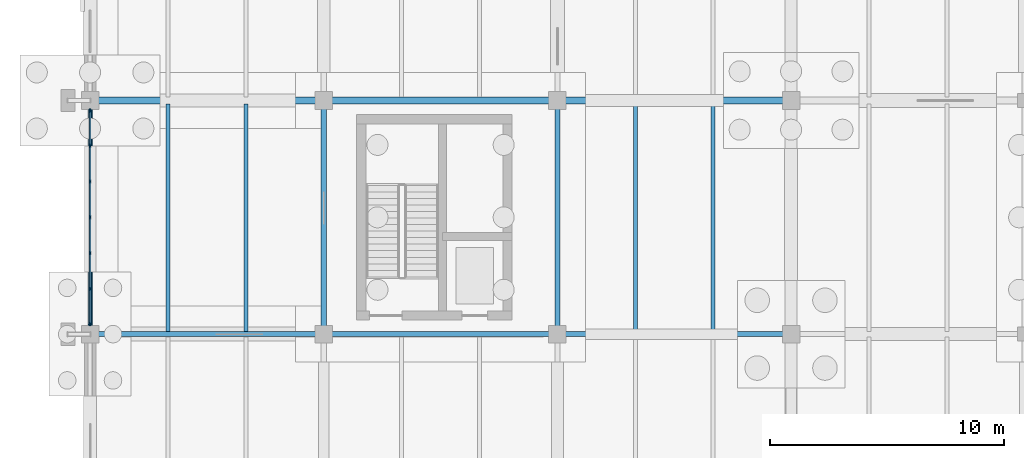
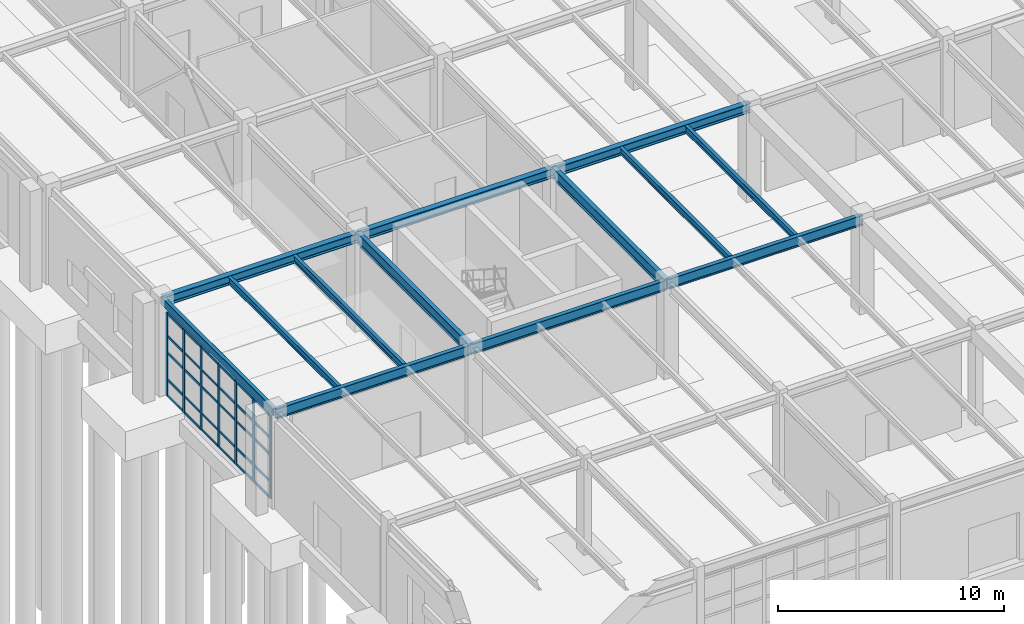
# One storey, part 33 of 145: 37 members, 13 beams, 1 element without a shape of its own.
"""IFC4 building model written with IfcOpenShell, lengths in metres."""

from ifc_helpers import new_model, si_unit, direction, frame, origin, origin_2d, place, context, subcontext, project, spatial, rectangle, hollow_rectangle, i_section, extrude, material, layer, layer_set, material_profile, profile_set, type_object, element, aggregate, save


model = new_model("IFC4")

# Units and contexts
model_context = context("Model", 3, precision=1e-05, world=origin(), true_north=direction((0.0, 1.0)))
body_context = subcontext(model_context, "Body", "Model", "MODEL_VIEW")
ifc_project = project(units=[si_unit("LENGTHUNIT", "METRE"), si_unit("AREAUNIT", "SQUARE_METRE"), si_unit("VOLUMEUNIT", "CUBIC_METRE"), si_unit("PLANEANGLEUNIT", "RADIAN"), si_unit("MASSUNIT", "GRAM", prefix="KILO"), si_unit("THERMODYNAMICTEMPERATUREUNIT", "KELVIN"), si_unit("POWERUNIT", "WATT")], contexts=[model_context])

# Site, building, storey
site_placement = place(None, origin())
site = spatial("IfcSite", under=ifc_project, at=site_placement, CompositionType="ELEMENT")
building_placement = place(site_placement, origin())
building = spatial("IfcBuilding", under=site, at=building_placement, Name="Korenveer Ferry Terminal", CompositionType="ELEMENT")
storey_placement = place(building_placement, origin())
storey = spatial("IfcBuildingStorey", under=building, at=storey_placement, Name="L00", CompositionType="ELEMENT", Elevation=0.0)

# Curtain wall, members
ifc_material_1 = material(Name="Unitised bronze-and-glass curtain wall", Category="glass")
ifc_layer = layer(ifc_material_1, 0.159912109375)
ifc_layer_set = layer_set([ifc_layer], Name="Unitised bronze-and-glass curtain wall")
curtain_wall_type = type_object("IfcCurtainWallType", Name="ENV-CW-18", PredefinedType="USERDEFINED", material=ifc_layer_set)
curtain_wall_placement = place(storey_placement, frame((0.0, 20.405029296875, 0.0)))
curtain_wall = element("IfcCurtainWall", 1, at=curtain_wall_placement, inside=storey, type_object=curtain_wall_type, Name="Lancet curtain wall CWX-L00-X0-0-Y20-30", ObjectType="UNITISED CURTAIN WALL", PredefinedType="USERDEFINED")
ifc_material_2 = material(Name="Anodised bronze aluminium", Category="aluminium")
ifc_material_profile_1 = material_profile(ifc_material_2, rectangle(XDim=0.06005859375, YDim=0.159912109375, at=origin_2d()), Name="ALU 60x160")
ifc_profile_set_1 = profile_set([ifc_material_profile_1], Name="Anodised bronze aluminium")
member_type_1 = type_object("IfcMemberType", Name="ENV-CWM-60X160", PredefinedType="MULLION", material=ifc_profile_set_1)
member_1_placement = place(storey_placement, frame((0.0, 20.43505859375, 0.0), z_axis=(0.0, 0.0, 1.0), x_axis=(-1.0, 0.0, 0.0)))
member_1 = element("IfcMember", 2, at=member_1_placement, type_object=member_type_1, Name="CW-18 mullion 1", PredefinedType="MULLION", context=body_context, shape_type="SweptSolid", body=[
    extrude(rectangle(XDim=0.06005859375, YDim=0.159912109375, at=origin_2d()), origin(), (0.0, 0.0, 1.0), 4.489990234375),
])
member_2_placement = place(storey_placement, frame((0.0, 21.936767578125, 0.0), z_axis=(0.0, 0.0, 1.0), x_axis=(-1.0, 0.0, 0.0)))
member_2 = element("IfcMember", 3, at=member_2_placement, type_object=member_type_1, Name="CW-18 mullion 2", PredefinedType="MULLION", context=body_context, shape_type="SweptSolid", body=[
    extrude(rectangle(XDim=0.06005859375, YDim=0.159912109375, at=origin_2d()), origin(), (0.0, 0.0, 1.0), 4.489990234375),
])
member_3_placement = place(storey_placement, frame((0.0, 23.46826171875, 0.0), z_axis=(0.0, 0.0, 1.0), x_axis=(-1.0, 0.0, 0.0)))
member_3 = element("IfcMember", 4, at=member_3_placement, type_object=member_type_1, Name="CW-18 mullion 3", PredefinedType="MULLION", context=body_context, shape_type="SweptSolid", body=[
    extrude(rectangle(XDim=0.06005859375, YDim=0.159912109375, at=origin_2d()), origin(), (0.0, 0.0, 1.0), 4.489990234375),
])
member_4_placement = place(storey_placement, frame((0.0, 25.0, 0.0), z_axis=(0.0, 0.0, 1.0), x_axis=(-1.0, 0.0, 0.0)))
member_4 = element("IfcMember", 5, at=member_4_placement, type_object=member_type_1, Name="CW-18 mullion 4", PredefinedType="MULLION", context=body_context, shape_type="SweptSolid", body=[
    extrude(rectangle(XDim=0.06005859375, YDim=0.159912109375, at=origin_2d()), origin(), (0.0, 0.0, 1.0), 4.489990234375),
])
member_5_placement = place(storey_placement, frame((0.0, 26.53173828125, 0.0), z_axis=(0.0, 0.0, 1.0), x_axis=(-1.0, 0.0, 0.0)))
member_5 = element("IfcMember", 6, at=member_5_placement, type_object=member_type_1, Name="CW-18 mullion 5", PredefinedType="MULLION", context=body_context, shape_type="SweptSolid", body=[
    extrude(rectangle(XDim=0.06005859375, YDim=0.159912109375, at=origin_2d()), origin(), (0.0, 0.0, 1.0), 4.489990234375),
])
member_6_placement = place(storey_placement, frame((0.0, 28.063232421875, 0.0), z_axis=(0.0, 0.0, 1.0), x_axis=(-1.0, 0.0, 0.0)))
member_6 = element("IfcMember", 7, at=member_6_placement, type_object=member_type_1, Name="CW-18 mullion 6", PredefinedType="MULLION", context=body_context, shape_type="SweptSolid", body=[
    extrude(rectangle(XDim=0.06005859375, YDim=0.159912109375, at=origin_2d()), origin(), (0.0, 0.0, 1.0), 4.489990234375),
])
member_7_placement = place(storey_placement, frame((0.0, 29.56494140625, 0.0), z_axis=(0.0, 0.0, 1.0), x_axis=(-1.0, 0.0, 0.0)))
member_7 = element("IfcMember", 8, at=member_7_placement, type_object=member_type_1, Name="CW-18 mullion 7", PredefinedType="MULLION", context=body_context, shape_type="SweptSolid", body=[
    extrude(rectangle(XDim=0.06005859375, YDim=0.159912109375, at=origin_2d()), origin(), (0.0, 0.0, 1.0), 4.489990234375),
])
ifc_material_profile_2 = material_profile(ifc_material_2, rectangle(XDim=0.06005859375, YDim=0.1201171875, at=origin_2d()), Name="ALU 60x120")
ifc_profile_set_2 = profile_set([ifc_material_profile_2], Name="Anodised bronze aluminium")
member_type_2 = type_object("IfcMemberType", Name="ENV-CWT-60X120", PredefinedType="USERDEFINED", material=ifc_profile_set_2)
member_8_placement = place(storey_placement, frame((0.0, 20.465087890625, 0.030029296875), z_axis=(0.0, 1.0, 0.0), x_axis=(-1.0, 0.0, 0.0)))
member_8 = element("IfcMember", 9, at=member_8_placement, type_object=member_type_2, Name="CW-18 transom 1.1", ObjectType="TRANSOM", PredefinedType="USERDEFINED", context=body_context, shape_type="SweptSolid", body=[
    extrude(rectangle(XDim=0.06005859375, YDim=0.1201171875, at=origin_2d()), origin(), (0.0, 0.0, 1.0), 1.441650390625),
])
member_9_placement = place(storey_placement, frame((0.0, 20.465087890625, 0.89990234375), z_axis=(0.0, 1.0, 0.0), x_axis=(-1.0, 0.0, 0.0)))
member_9 = element("IfcMember", 10, at=member_9_placement, type_object=member_type_2, Name="CW-18 transom 1.2", ObjectType="TRANSOM", PredefinedType="USERDEFINED", context=body_context, shape_type="SweptSolid", body=[
    extrude(rectangle(XDim=0.06005859375, YDim=0.1201171875, at=origin_2d()), origin(), (0.0, 0.0, 1.0), 1.441650390625),
])
member_10_placement = place(storey_placement, frame((0.0, 20.465087890625, 2.35009765625), z_axis=(0.0, 1.0, 0.0), x_axis=(-1.0, 0.0, 0.0)))
member_10 = element("IfcMember", 11, at=member_10_placement, type_object=member_type_2, Name="CW-18 transom 1.3", ObjectType="TRANSOM", PredefinedType="USERDEFINED", context=body_context, shape_type="SweptSolid", body=[
    extrude(rectangle(XDim=0.06005859375, YDim=0.1201171875, at=origin_2d()), origin(), (0.0, 0.0, 1.0), 1.441650390625),
])
member_11_placement = place(storey_placement, frame((0.0, 20.465087890625, 3.25), z_axis=(0.0, 1.0, 0.0), x_axis=(-1.0, 0.0, 0.0)))
member_11 = element("IfcMember", 12, at=member_11_placement, type_object=member_type_2, Name="CW-18 transom 1.4", ObjectType="TRANSOM", PredefinedType="USERDEFINED", context=body_context, shape_type="SweptSolid", body=[
    extrude(rectangle(XDim=0.06005859375, YDim=0.1201171875, at=origin_2d()), origin(), (0.0, 0.0, 1.0), 1.441650390625),
])
member_12_placement = place(storey_placement, frame((0.0, 20.465087890625, 4.4599609375), z_axis=(0.0, 1.0, 0.0), x_axis=(-1.0, 0.0, 0.0)))
member_12 = element("IfcMember", 13, at=member_12_placement, type_object=member_type_2, Name="CW-18 transom 1.5", ObjectType="TRANSOM", PredefinedType="USERDEFINED", context=body_context, shape_type="SweptSolid", body=[
    extrude(rectangle(XDim=0.06005859375, YDim=0.1201171875, at=origin_2d()), origin(), (0.0, 0.0, 1.0), 1.441650390625),
])
member_13_placement = place(storey_placement, frame((0.0, 21.966552734375, 0.030029296875), z_axis=(0.0, 1.0, 0.0), x_axis=(-1.0, 0.0, 0.0)))
member_13 = element("IfcMember", 14, at=member_13_placement, type_object=member_type_2, Name="CW-18 transom 2.1", ObjectType="TRANSOM", PredefinedType="USERDEFINED", context=body_context, shape_type="SweptSolid", body=[
    extrude(rectangle(XDim=0.06005859375, YDim=0.1201171875, at=origin_2d()), origin(), (0.0, 0.0, 1.0), 1.4716796875),
])
member_14_placement = place(storey_placement, frame((0.0, 21.966552734375, 0.89990234375), z_axis=(0.0, 1.0, 0.0), x_axis=(-1.0, 0.0, 0.0)))
member_14 = element("IfcMember", 15, at=member_14_placement, type_object=member_type_2, Name="CW-18 transom 2.2", ObjectType="TRANSOM", PredefinedType="USERDEFINED", context=body_context, shape_type="SweptSolid", body=[
    extrude(rectangle(XDim=0.06005859375, YDim=0.1201171875, at=origin_2d()), origin(), (0.0, 0.0, 1.0), 1.4716796875),
])
member_15_placement = place(storey_placement, frame((0.0, 21.966552734375, 2.35009765625), z_axis=(0.0, 1.0, 0.0), x_axis=(-1.0, 0.0, 0.0)))
member_15 = element("IfcMember", 16, at=member_15_placement, type_object=member_type_2, Name="CW-18 transom 2.3", ObjectType="TRANSOM", PredefinedType="USERDEFINED", context=body_context, shape_type="SweptSolid", body=[
    extrude(rectangle(XDim=0.06005859375, YDim=0.1201171875, at=origin_2d()), origin(), (0.0, 0.0, 1.0), 1.4716796875),
])
member_16_placement = place(storey_placement, frame((0.0, 21.966552734375, 3.25), z_axis=(0.0, 1.0, 0.0), x_axis=(-1.0, 0.0, 0.0)))
member_16 = element("IfcMember", 17, at=member_16_placement, type_object=member_type_2, Name="CW-18 transom 2.4", ObjectType="TRANSOM", PredefinedType="USERDEFINED", context=body_context, shape_type="SweptSolid", body=[
    extrude(rectangle(XDim=0.06005859375, YDim=0.1201171875, at=origin_2d()), origin(), (0.0, 0.0, 1.0), 1.4716796875),
])
member_17_placement = place(storey_placement, frame((0.0, 21.966552734375, 4.4599609375), z_axis=(0.0, 1.0, 0.0), x_axis=(-1.0, 0.0, 0.0)))
member_17 = element("IfcMember", 18, at=member_17_placement, type_object=member_type_2, Name="CW-18 transom 2.5", ObjectType="TRANSOM", PredefinedType="USERDEFINED", context=body_context, shape_type="SweptSolid", body=[
    extrude(rectangle(XDim=0.06005859375, YDim=0.1201171875, at=origin_2d()), origin(), (0.0, 0.0, 1.0), 1.4716796875),
])
member_18_placement = place(storey_placement, frame((0.0, 23.498291015625, 0.030029296875), z_axis=(0.0, 1.0, 0.0), x_axis=(-1.0, 0.0, 0.0)))
member_18 = element("IfcMember", 19, at=member_18_placement, type_object=member_type_2, Name="CW-18 transom 3.1", ObjectType="TRANSOM", PredefinedType="USERDEFINED", context=body_context, shape_type="SweptSolid", body=[
    extrude(rectangle(XDim=0.06005859375, YDim=0.1201171875, at=origin_2d()), origin(), (0.0, 0.0, 1.0), 1.4716796875),
])
member_19_placement = place(storey_placement, frame((0.0, 23.498291015625, 0.89990234375), z_axis=(0.0, 1.0, 0.0), x_axis=(-1.0, 0.0, 0.0)))
member_19 = element("IfcMember", 20, at=member_19_placement, type_object=member_type_2, Name="CW-18 transom 3.2", ObjectType="TRANSOM", PredefinedType="USERDEFINED", context=body_context, shape_type="SweptSolid", body=[
    extrude(rectangle(XDim=0.06005859375, YDim=0.1201171875, at=origin_2d()), origin(), (0.0, 0.0, 1.0), 1.4716796875),
])
member_20_placement = place(storey_placement, frame((0.0, 23.498291015625, 2.35009765625), z_axis=(0.0, 1.0, 0.0), x_axis=(-1.0, 0.0, 0.0)))
member_20 = element("IfcMember", 21, at=member_20_placement, type_object=member_type_2, Name="CW-18 transom 3.3", ObjectType="TRANSOM", PredefinedType="USERDEFINED", context=body_context, shape_type="SweptSolid", body=[
    extrude(rectangle(XDim=0.06005859375, YDim=0.1201171875, at=origin_2d()), origin(), (0.0, 0.0, 1.0), 1.4716796875),
])
member_21_placement = place(storey_placement, frame((0.0, 23.498291015625, 3.25), z_axis=(0.0, 1.0, 0.0), x_axis=(-1.0, 0.0, 0.0)))
member_21 = element("IfcMember", 22, at=member_21_placement, type_object=member_type_2, Name="CW-18 transom 3.4", ObjectType="TRANSOM", PredefinedType="USERDEFINED", context=body_context, shape_type="SweptSolid", body=[
    extrude(rectangle(XDim=0.06005859375, YDim=0.1201171875, at=origin_2d()), origin(), (0.0, 0.0, 1.0), 1.4716796875),
])
member_22_placement = place(storey_placement, frame((0.0, 23.498291015625, 4.4599609375), z_axis=(0.0, 1.0, 0.0), x_axis=(-1.0, 0.0, 0.0)))
member_22 = element("IfcMember", 23, at=member_22_placement, type_object=member_type_2, Name="CW-18 transom 3.5", ObjectType="TRANSOM", PredefinedType="USERDEFINED", context=body_context, shape_type="SweptSolid", body=[
    extrude(rectangle(XDim=0.06005859375, YDim=0.1201171875, at=origin_2d()), origin(), (0.0, 0.0, 1.0), 1.4716796875),
])
member_23_placement = place(storey_placement, frame((0.0, 25.030029296875, 0.030029296875), z_axis=(0.0, 1.0, 0.0), x_axis=(-1.0, 0.0, 0.0)))
member_23 = element("IfcMember", 24, at=member_23_placement, type_object=member_type_2, Name="CW-18 transom 4.1", ObjectType="TRANSOM", PredefinedType="USERDEFINED", context=body_context, shape_type="SweptSolid", body=[
    extrude(rectangle(XDim=0.06005859375, YDim=0.1201171875, at=origin_2d()), origin(), (0.0, 0.0, 1.0), 1.4716796875),
])
member_24_placement = place(storey_placement, frame((0.0, 25.030029296875, 0.89990234375), z_axis=(0.0, 1.0, 0.0), x_axis=(-1.0, 0.0, 0.0)))
member_24 = element("IfcMember", 25, at=member_24_placement, type_object=member_type_2, Name="CW-18 transom 4.2", ObjectType="TRANSOM", PredefinedType="USERDEFINED", context=body_context, shape_type="SweptSolid", body=[
    extrude(rectangle(XDim=0.06005859375, YDim=0.1201171875, at=origin_2d()), origin(), (0.0, 0.0, 1.0), 1.4716796875),
])
member_25_placement = place(storey_placement, frame((0.0, 25.030029296875, 2.35009765625), z_axis=(0.0, 1.0, 0.0), x_axis=(-1.0, 0.0, 0.0)))
member_25 = element("IfcMember", 26, at=member_25_placement, type_object=member_type_2, Name="CW-18 transom 4.3", ObjectType="TRANSOM", PredefinedType="USERDEFINED", context=body_context, shape_type="SweptSolid", body=[
    extrude(rectangle(XDim=0.06005859375, YDim=0.1201171875, at=origin_2d()), origin(), (0.0, 0.0, 1.0), 1.4716796875),
])
member_26_placement = place(storey_placement, frame((0.0, 25.030029296875, 3.25), z_axis=(0.0, 1.0, 0.0), x_axis=(-1.0, 0.0, 0.0)))
member_26 = element("IfcMember", 27, at=member_26_placement, type_object=member_type_2, Name="CW-18 transom 4.4", ObjectType="TRANSOM", PredefinedType="USERDEFINED", context=body_context, shape_type="SweptSolid", body=[
    extrude(rectangle(XDim=0.06005859375, YDim=0.1201171875, at=origin_2d()), origin(), (0.0, 0.0, 1.0), 1.4716796875),
])
member_27_placement = place(storey_placement, frame((0.0, 25.030029296875, 4.4599609375), z_axis=(0.0, 1.0, 0.0), x_axis=(-1.0, 0.0, 0.0)))
member_27 = element("IfcMember", 28, at=member_27_placement, type_object=member_type_2, Name="CW-18 transom 4.5", ObjectType="TRANSOM", PredefinedType="USERDEFINED", context=body_context, shape_type="SweptSolid", body=[
    extrude(rectangle(XDim=0.06005859375, YDim=0.1201171875, at=origin_2d()), origin(), (0.0, 0.0, 1.0), 1.4716796875),
])
member_28_placement = place(storey_placement, frame((0.0, 26.561767578125, 0.030029296875), z_axis=(0.0, 1.0, 0.0), x_axis=(-1.0, 0.0, 0.0)))
member_28 = element("IfcMember", 29, at=member_28_placement, type_object=member_type_2, Name="CW-18 transom 5.1", ObjectType="TRANSOM", PredefinedType="USERDEFINED", context=body_context, shape_type="SweptSolid", body=[
    extrude(rectangle(XDim=0.06005859375, YDim=0.1201171875, at=origin_2d()), origin(), (0.0, 0.0, 1.0), 1.4716796875),
])
member_29_placement = place(storey_placement, frame((0.0, 26.561767578125, 0.89990234375), z_axis=(0.0, 1.0, 0.0), x_axis=(-1.0, 0.0, 0.0)))
member_29 = element("IfcMember", 30, at=member_29_placement, type_object=member_type_2, Name="CW-18 transom 5.2", ObjectType="TRANSOM", PredefinedType="USERDEFINED", context=body_context, shape_type="SweptSolid", body=[
    extrude(rectangle(XDim=0.06005859375, YDim=0.1201171875, at=origin_2d()), origin(), (0.0, 0.0, 1.0), 1.4716796875),
])
member_30_placement = place(storey_placement, frame((0.0, 26.561767578125, 2.35009765625), z_axis=(0.0, 1.0, 0.0), x_axis=(-1.0, 0.0, 0.0)))
member_30 = element("IfcMember", 31, at=member_30_placement, type_object=member_type_2, Name="CW-18 transom 5.3", ObjectType="TRANSOM", PredefinedType="USERDEFINED", context=body_context, shape_type="SweptSolid", body=[
    extrude(rectangle(XDim=0.06005859375, YDim=0.1201171875, at=origin_2d()), origin(), (0.0, 0.0, 1.0), 1.4716796875),
])
member_31_placement = place(storey_placement, frame((0.0, 26.561767578125, 3.25), z_axis=(0.0, 1.0, 0.0), x_axis=(-1.0, 0.0, 0.0)))
member_31 = element("IfcMember", 32, at=member_31_placement, type_object=member_type_2, Name="CW-18 transom 5.4", ObjectType="TRANSOM", PredefinedType="USERDEFINED", context=body_context, shape_type="SweptSolid", body=[
    extrude(rectangle(XDim=0.06005859375, YDim=0.1201171875, at=origin_2d()), origin(), (0.0, 0.0, 1.0), 1.4716796875),
])
member_32_placement = place(storey_placement, frame((0.0, 26.561767578125, 4.4599609375), z_axis=(0.0, 1.0, 0.0), x_axis=(-1.0, 0.0, 0.0)))
member_32 = element("IfcMember", 33, at=member_32_placement, type_object=member_type_2, Name="CW-18 transom 5.5", ObjectType="TRANSOM", PredefinedType="USERDEFINED", context=body_context, shape_type="SweptSolid", body=[
    extrude(rectangle(XDim=0.06005859375, YDim=0.1201171875, at=origin_2d()), origin(), (0.0, 0.0, 1.0), 1.4716796875),
])
member_33_placement = place(storey_placement, frame((0.0, 28.09326171875, 0.030029296875), z_axis=(0.0, 1.0, 0.0), x_axis=(-1.0, 0.0, 0.0)))
member_33 = element("IfcMember", 34, at=member_33_placement, type_object=member_type_2, Name="CW-18 transom 6.1", ObjectType="TRANSOM", PredefinedType="USERDEFINED", context=body_context, shape_type="SweptSolid", body=[
    extrude(rectangle(XDim=0.06005859375, YDim=0.1201171875, at=origin_2d()), origin(), (0.0, 0.0, 1.0), 1.441650390625),
])
member_34_placement = place(storey_placement, frame((0.0, 28.09326171875, 0.89990234375), z_axis=(0.0, 1.0, 0.0), x_axis=(-1.0, 0.0, 0.0)))
member_34 = element("IfcMember", 35, at=member_34_placement, type_object=member_type_2, Name="CW-18 transom 6.2", ObjectType="TRANSOM", PredefinedType="USERDEFINED", context=body_context, shape_type="SweptSolid", body=[
    extrude(rectangle(XDim=0.06005859375, YDim=0.1201171875, at=origin_2d()), origin(), (0.0, 0.0, 1.0), 1.441650390625),
])
member_35_placement = place(storey_placement, frame((0.0, 28.09326171875, 2.35009765625), z_axis=(0.0, 1.0, 0.0), x_axis=(-1.0, 0.0, 0.0)))
member_35 = element("IfcMember", 36, at=member_35_placement, type_object=member_type_2, Name="CW-18 transom 6.3", ObjectType="TRANSOM", PredefinedType="USERDEFINED", context=body_context, shape_type="SweptSolid", body=[
    extrude(rectangle(XDim=0.06005859375, YDim=0.1201171875, at=origin_2d()), origin(), (0.0, 0.0, 1.0), 1.441650390625),
])
member_36_placement = place(storey_placement, frame((0.0, 28.09326171875, 3.25), z_axis=(0.0, 1.0, 0.0), x_axis=(-1.0, 0.0, 0.0)))
member_36 = element("IfcMember", 37, at=member_36_placement, type_object=member_type_2, Name="CW-18 transom 6.4", ObjectType="TRANSOM", PredefinedType="USERDEFINED", context=body_context, shape_type="SweptSolid", body=[
    extrude(rectangle(XDim=0.06005859375, YDim=0.1201171875, at=origin_2d()), origin(), (0.0, 0.0, 1.0), 1.441650390625),
])
member_37_placement = place(storey_placement, frame((0.0, 28.09326171875, 4.4599609375), z_axis=(0.0, 1.0, 0.0), x_axis=(-1.0, 0.0, 0.0)))
member_37 = element("IfcMember", 38, at=member_37_placement, type_object=member_type_2, Name="CW-18 transom 6.5", ObjectType="TRANSOM", PredefinedType="USERDEFINED", context=body_context, shape_type="SweptSolid", body=[
    extrude(rectangle(XDim=0.06005859375, YDim=0.1201171875, at=origin_2d()), origin(), (0.0, 0.0, 1.0), 1.441650390625),
])
aggregate(curtain_wall, [member_1, member_2, member_3, member_4, member_5, member_6, member_7, member_8, member_9, member_10, member_11, member_12, member_13, member_14, member_15, member_16, member_17, member_18, member_19, member_20, member_21, member_22, member_23, member_24, member_25, member_26, member_27, member_28, member_29, member_30, member_31, member_32, member_33, member_34, member_35, member_36, member_37])

# Beams
ifc_material_3 = material(Name="Steel S355", Category="steel")
ifc_material_profile_3 = material_profile(ifc_material_3, i_section(OverallWidth=0.300048828125, OverallDepth=0.5, WebThickness=0.014404296875, FlangeThickness=0.028076171875, FilletRadius=0.027099609375, at=origin_2d()), Name="HEB 500")
ifc_profile_set_3 = profile_set([ifc_material_profile_3], Name="Steel S355")
beam_type_1 = type_object("IfcBeamType", Name="STR-BM-HEB500", PredefinedType="BEAM", material=ifc_profile_set_3)
for number, where, z_axis, x_axis, name in (
    (39, (0.02001953125, 30.0, 4.8701171875), (1.0, 0.0, 0.0), (0.0, 1.0, 0.0), "Primary X girder BMX-L01-X0-10-Y30"),
    (40, (10.02001953125, 30.0, 4.8701171875), (1.0, 0.0, 0.0), (0.0, 1.0, 0.0), "Primary X girder BMX-L01-X10-20-Y30"),
    (41, (20.02001953125, 30.0, 4.8701171875), (1.0, 0.0, 0.0), (0.0, 1.0, 0.0), "Primary X girder BMX-L01-X20-30-Y30"),
):
    element("IfcBeam", number, at=place(storey_placement, frame(where, z_axis=z_axis, x_axis=x_axis)), inside=storey, type_object=beam_type_1, Name=name, PredefinedType="BEAM", context=body_context, shape_type="SweptSolid", body=[
        extrude(i_section(OverallWidth=0.300048828125, OverallDepth=0.5, WebThickness=0.014404296875, FlangeThickness=0.028076171875, FilletRadius=0.027099609375, at=origin_2d()), origin(), (0.0, 0.0, 1.0), 9.9599609375),
    ])
ifc_material_profile_4 = material_profile(ifc_material_3, i_section(OverallWidth=0.2099609375, OverallDepth=0.550048828125, WebThickness=0.010986328125, FlangeThickness=0.01708984375, FilletRadius=0.02392578125, at=origin_2d()), Name="IPE 550")
ifc_profile_set_4 = profile_set([ifc_material_profile_4], Name="Steel S355")
beam_type_2 = type_object("IfcBeamType", Name="STR-BM-IPE550", PredefinedType="BEAM", material=ifc_profile_set_4)
for number, where, z_axis, x_axis, name in (
    (42, (0.02001953125, 20.0, 4.844970703125), (1.0, 0.0, 0.0), (0.0, 1.0, 0.0), "Primary X girder BMX-L01-X0-10-Y20"),
    (43, (10.02001953125, 20.0, 4.844970703125), (1.0, 0.0, 0.0), (0.0, 1.0, 0.0), "Primary X girder BMX-L01-X10-20-Y20"),
    (44, (20.02001953125, 20.0, 4.844970703125), (1.0, 0.0, 0.0), (0.0, 1.0, 0.0), "Primary X girder BMX-L01-X20-30-Y20"),
):
    element("IfcBeam", number, at=place(storey_placement, frame(where, z_axis=z_axis, x_axis=x_axis)), inside=storey, type_object=beam_type_2, Name=name, PredefinedType="BEAM", context=body_context, shape_type="SweptSolid", body=[
        extrude(i_section(OverallWidth=0.2099609375, OverallDepth=0.550048828125, WebThickness=0.010986328125, FlangeThickness=0.01708984375, FilletRadius=0.02392578125, at=origin_2d()), origin(), (0.0, 0.0, 1.0), 9.9599609375),
    ])
ifc_material_profile_5 = material_profile(ifc_material_3, i_section(OverallWidth=0.219970703125, OverallDepth=0.60009765625, WebThickness=0.011962890625, FlangeThickness=0.01904296875, FilletRadius=0.02392578125, at=origin_2d()), Name="IPE 600")
ifc_profile_set_5 = profile_set([ifc_material_profile_5], Name="Steel S355")
beam_type_3 = type_object("IfcBeamType", Name="STR-BM-IPE600", PredefinedType="BEAM", material=ifc_profile_set_5)
for number, where, z_axis, x_axis, name in (
    (45, (10.0, 20.02001953125, 4.820068359375), (0.0, 1.0, 0.0), (-1.0, 0.0, 0.0), "Primary Y girder BMY-L01-X10-Y20-30"),
    (46, (20.0, 20.02001953125, 4.820068359375), (0.0, 1.0, 0.0), (-1.0, 0.0, 0.0), "Primary Y girder BMY-L01-X20-Y20-30"),
):
    element("IfcBeam", number, at=place(storey_placement, frame(where, z_axis=z_axis, x_axis=x_axis)), inside=storey, type_object=beam_type_3, Name=name, PredefinedType="BEAM", context=body_context, shape_type="SweptSolid", body=[
        extrude(i_section(OverallWidth=0.219970703125, OverallDepth=0.60009765625, WebThickness=0.011962890625, FlangeThickness=0.01904296875, FilletRadius=0.02392578125, at=origin_2d()), origin(), (0.0, 0.0, 1.0), 9.9599609375),
    ])
ifc_material_profile_6 = material_profile(ifc_material_3, i_section(OverallWidth=0.169921875, OverallDepth=0.360107421875, WebThickness=0.008056640625, FlangeThickness=0.0126953125, FilletRadius=0.01806640625, at=origin_2d()), Name="IPE 360")
ifc_profile_set_6 = profile_set([ifc_material_profile_6], Name="Steel S355")
beam_type_4 = type_object("IfcBeamType", Name="STR-JST-IPE360", PredefinedType="JOIST", material=ifc_profile_set_6)
for number, where, z_axis, x_axis, name in (
    (47, (3.333251953125, 20.114990234375, 4.93994140625), (0.0, 1.0, 0.0), (-1.0, 0.0, 0.0), "Secondary composite joist JST-L01-X33-Y20-30"),
    (48, (6.666748046875, 20.114990234375, 4.93994140625), (0.0, 1.0, 0.0), (-1.0, 0.0, 0.0), "Secondary composite joist JST-L01-X67-Y20-30"),
    (49, (23.333251953125, 20.114990234375, 4.93994140625), (0.0, 1.0, 0.0), (-1.0, 0.0, 0.0), "Secondary composite joist JST-L01-X233-Y20-30"),
    (50, (26.666748046875, 20.114990234375, 4.93994140625), (0.0, 1.0, 0.0), (-1.0, 0.0, 0.0), "Secondary composite joist JST-L01-X267-Y20-30"),
):
    element("IfcBeam", number, at=place(storey_placement, frame(where, z_axis=z_axis, x_axis=x_axis)), inside=storey, type_object=beam_type_4, Name=name, PredefinedType="JOIST", context=body_context, shape_type="SweptSolid", body=[
        extrude(i_section(OverallWidth=0.169921875, OverallDepth=0.360107421875, WebThickness=0.008056640625, FlangeThickness=0.0126953125, FilletRadius=0.01806640625, at=origin_2d()), origin(), (0.0, 0.0, 1.0), 9.72509765625),
    ])
ifc_material_profile_7 = material_profile(ifc_material_3, hollow_rectangle(XDim=0.199951171875, YDim=0.39990234375, WallThickness=0.01611328125, InnerFilletRadius=0.01611328125, OuterFilletRadius=0.02392578125, at=origin_2d()), Name="RHS 400x200x16")
ifc_profile_set_7 = profile_set([ifc_material_profile_7], Name="Steel S355")
beam_type_5 = type_object("IfcBeamType", Name="STR-SPD-RHS400", PredefinedType="SPANDREL", material=ifc_profile_set_7)
beam_placement = place(storey_placement, frame((0.0, 20.02001953125, 4.919921875), z_axis=(0.0, 1.0, 0.0), x_axis=(-1.0, 0.0, 0.0)))
element("IfcBeam", 51, at=beam_placement, inside=storey, type_object=beam_type_5, Name="Primary Y girder BMY-L01-X0-Y20-30", PredefinedType="SPANDREL", context=body_context, shape_type="SweptSolid", body=[
    extrude(hollow_rectangle(XDim=0.199951171875, YDim=0.39990234375, WallThickness=0.01611328125, InnerFilletRadius=0.01611328125, OuterFilletRadius=0.02392578125, at=origin_2d()), origin(), (0.0, 0.0, 1.0), 9.9599609375),
])

save(model, "model.ifc")
